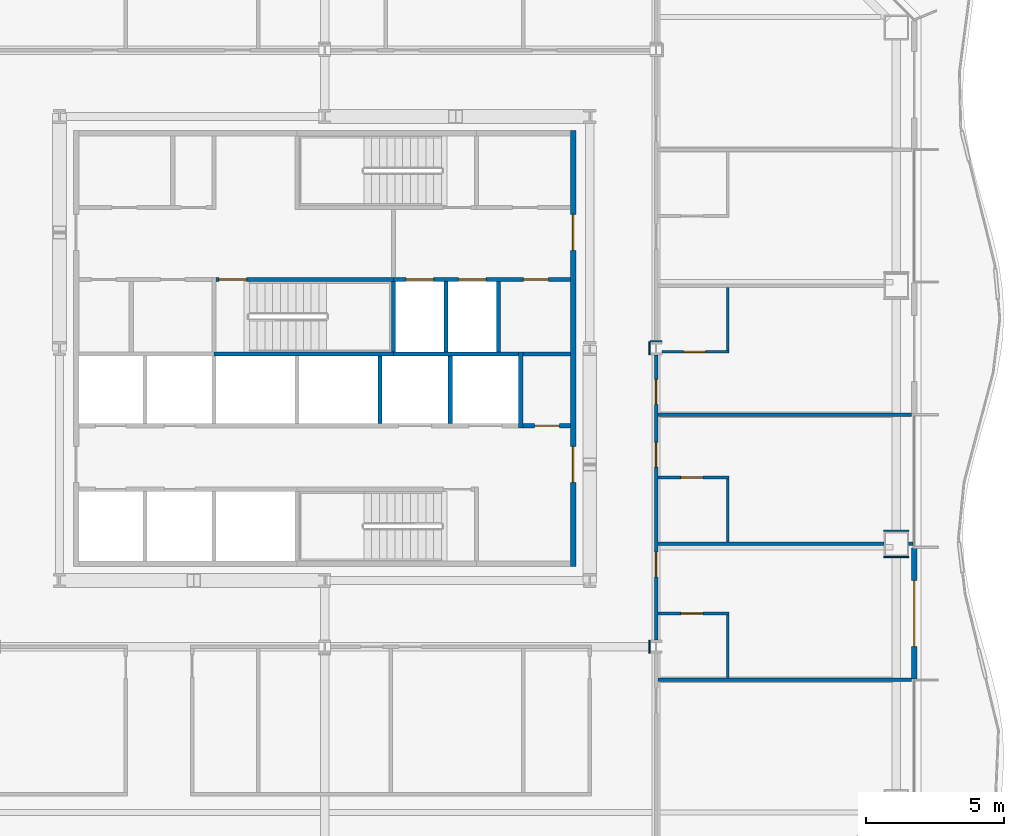
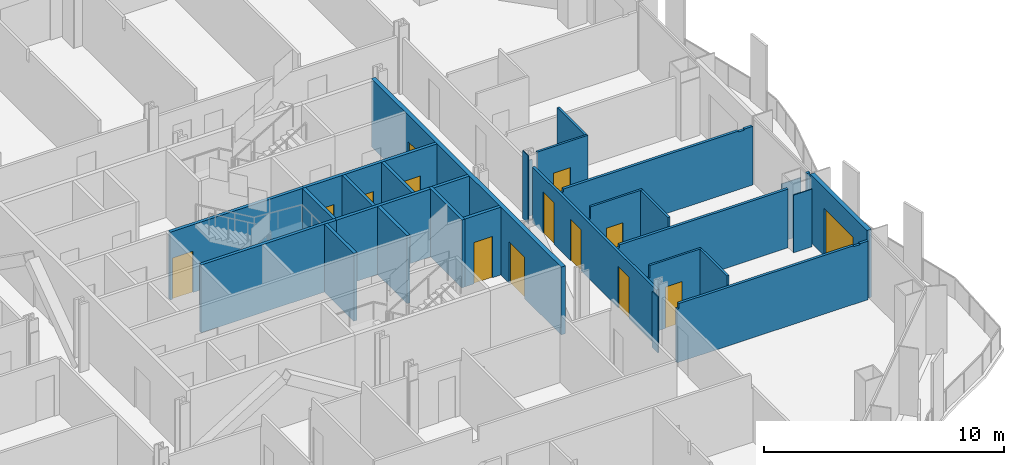
# One storey, part 10 of 21: 30 walls, 14 doors, 14 openings.
"""IFC4 building model written with IfcOpenShell, lengths in metres."""

from ifc_helpers import new_model, si_unit, direction, frame, frame_2d, origin, place, context, subcontext, project, spatial, polyline, rectangle, outline, extrude, material, layer, layer_set, type_object, element, fill, save


model = new_model("IFC4")

# Units and contexts
model_context = context("Model", 3, precision=1e-05, world=origin(), true_north=direction((0.0, 1.0)))
body_context = subcontext(model_context, "Body", "Model", "MODEL_VIEW")
ifc_project = project(units=[si_unit("LENGTHUNIT", "METRE"), si_unit("AREAUNIT", "SQUARE_METRE"), si_unit("VOLUMEUNIT", "CUBIC_METRE"), si_unit("PLANEANGLEUNIT", "RADIAN"), si_unit("MASSUNIT", "GRAM", prefix="KILO")], contexts=[model_context])

# Site, building, storey
site_placement = place(None, origin())
site = spatial("IfcSite", under=ifc_project, at=site_placement, CompositionType="ELEMENT")
building_placement = place(site_placement, origin())
building = spatial("IfcBuilding", under=site, at=building_placement, Name="Cairn Pilgrim Tower", CompositionType="ELEMENT")
storey_placement = place(building_placement, frame((0.0, 0.0, 69.0)))
storey = spatial("IfcBuildingStorey", under=building, at=storey_placement, Name="L15", CompositionType="ELEMENT", Elevation=69.0)

# Wall, opening, door
ifc_material_1 = material(Name="Bronze anodised aluminium insulated sandwich panel with mineral wool fill", Category="aluminium")
ifc_layer_1 = layer(ifc_material_1, 0.199951171875)
ifc_layer_set_1 = layer_set([ifc_layer_1], Name="BRONZE INFILL FRAME WALL 200")
wall_type_1 = type_object("IfcWallType", Name="BRONZE INFILL FRAME WALL 200", PredefinedType="NOTDEFINED", material=ifc_layer_set_1)
wall_1_placement = place(storey_placement, frame((28.550048828125, -9.570068359375, 0.0), z_axis=(0.0, 0.0, 1.0), x_axis=(0.0, 1.0, 0.0)))
wall_1 = element("IfcWall", 1, at=wall_1_placement, inside=storey, type_object=wall_type_1, Name="Bronze infill frame wall IW-E2", PredefinedType="NOTDEFINED", context=body_context, shape_type="SweptSolid", body=[
    extrude(rectangle(XDim=4.739990234375, YDim=0.199951171875, at=frame_2d((2.3701171875, 0.0))), origin(), (0.0, 0.0, 1.0), 3.449951171875),
])
opening_1_placement = place(wall_1_placement, frame((1.169921875, 0.0, 0.0)))
opening_1 = element("IfcOpeningElement", 2, at=opening_1_placement, cuts=wall_1, Name="Opening 1524B", PredefinedType="OPENING", context=body_context, shape_type="SweptSolid", body=[
    extrude(rectangle(XDim=2.39990234375, YDim=2.39990234375, at=frame_2d((1.199951171875, 1.199951171875))), frame((0.0, 0.10986328125, 0.0), z_axis=(0.0, -1.0, 0.0), x_axis=(1.0, 0.0, 0.0)), (0.0, 0.0, 1.0), 0.219970703125),
])
ifc_material_2 = material(Name="Bronze anodised aluminium frame with tinted low-E glass", Category="aluminium")
door_type_1 = type_object("IfcDoorType", Name="BALCONY SLIDING DOOR 2400x2400", OperationType="DOUBLE_DOOR_SLIDING", PredefinedType="DOOR", material=ifc_material_2)
door_1_placement = place(opening_1_placement, origin())
door_1 = element("IfcDoor", 3, at=door_1_placement, inside=storey, type_object=door_type_1, Name="Balcony sliding door 1524B", OperationType="SINGLE_SWING_LEFT", OverallHeight=2.39990234375, OverallWidth=2.39990234375, PredefinedType="DOOR", context=body_context, shape_type="SweptSolid", body=[
    extrude(rectangle(XDim=2.39990234375, YDim=2.39990234375, at=frame_2d((1.199951171875, 1.199951171875))), frame((0.0, 0.02490234375, 0.0), z_axis=(0.0, -1.0, 0.0), x_axis=(1.0, 0.0, 0.0)), (0.0, 0.0, 1.0), 0.050048828125),
])
fill(opening_1, door_1)

# Wall, openings, doors
ifc_material_3 = material(Name="Concrete C32/40", Category="concrete")
ifc_layer_2 = layer(ifc_material_3, 0.199951171875)
ifc_layer_set_2 = layer_set([ifc_layer_2], Name="CORE OUTER WALL 200 EI 120")
wall_type_2 = type_object("IfcWallType", Name="CORE OUTER WALL 200 EI 120", PredefinedType="SOLIDWALL", material=ifc_layer_set_2)
wall_2_placement = place(storey_placement, frame((16.199951171875, -5.5, 0.0), z_axis=(0.0, 0.0, 1.0), x_axis=(0.0, 1.0, 0.0)))
wall_2 = element("IfcWall", 4, at=wall_2_placement, inside=storey, type_object=wall_type_2, Name="CW:L15:V33", PredefinedType="SOLIDWALL", context=body_context, shape_type="SweptSolid", body=[
    extrude(rectangle(XDim=15.800048828125, YDim=0.199951171875, at=frame_2d((7.89990234375, 0.0))), origin(), (0.0, 0.0, 1.0), 3.449951171875),
])
opening_2_placement = place(wall_2_placement, frame((3.050048828125, 0.0, 0.0)))
opening_2 = element("IfcOpeningElement", 5, at=opening_2_placement, cuts=wall_2, Name="Opening CD-E1", PredefinedType="OPENING", context=body_context, shape_type="SweptSolid", body=[
    extrude(rectangle(XDim=1.300048828125, YDim=2.10009765625, at=frame_2d((0.64990234375, 1.050048828125))), frame((0.0, 0.10986328125, 0.0), z_axis=(0.0, -1.0, 0.0), x_axis=(1.0, 0.0, 0.0)), (0.0, 0.0, 1.0), 0.219970703125),
])
opening_3_placement = place(wall_2_placement, frame((11.449951171875, 0.0, 0.0)))
opening_3 = element("IfcOpeningElement", 6, at=opening_3_placement, cuts=wall_2, Name="Opening CD-E2", PredefinedType="OPENING", context=body_context, shape_type="SweptSolid", body=[
    extrude(rectangle(XDim=1.300048828125, YDim=2.10009765625, at=frame_2d((0.64990234375, 1.050048828125))), frame((0.0, 0.10986328125, 0.0), z_axis=(0.0, -1.0, 0.0), x_axis=(1.0, 0.0, 0.0)), (0.0, 0.0, 1.0), 0.219970703125),
])
ifc_material_4 = material(Name="Painted steel", Category="steel")
door_type_2 = type_object("IfcDoorType", Name="CORE LOBBY DOOR 1300x2100", OperationType="DOUBLE_DOOR_SINGLE_SWING", PredefinedType="DOOR", material=ifc_material_4)
door_2_placement = place(opening_2_placement, origin())
door_2 = element("IfcDoor", 7, at=door_2_placement, inside=storey, type_object=door_type_2, Name="CD-E1", OperationType="DOUBLE_DOOR_SINGLE_SWING", OverallHeight=2.10009765625, OverallWidth=1.300048828125, PredefinedType="DOOR", context=body_context, shape_type="SweptSolid", body=[
    extrude(rectangle(XDim=1.300048828125, YDim=2.10009765625, at=frame_2d((0.64990234375, 1.050048828125))), frame((0.0, 0.02490234375, 0.0), z_axis=(0.0, -1.0, 0.0), x_axis=(1.0, 0.0, 0.0)), (0.0, 0.0, 1.0), 0.050048828125),
])
fill(opening_2, door_2)
door_3_placement = place(opening_3_placement, origin())
door_3 = element("IfcDoor", 8, at=door_3_placement, inside=storey, type_object=door_type_2, Name="CD-E2", OperationType="DOUBLE_DOOR_SINGLE_SWING", OverallHeight=2.10009765625, OverallWidth=1.300048828125, PredefinedType="DOOR", context=body_context, shape_type="SweptSolid", body=[
    extrude(rectangle(XDim=1.300048828125, YDim=2.10009765625, at=frame_2d((0.64990234375, 1.050048828125))), frame((0.0, 0.02490234375, 0.0), z_axis=(0.0, -1.0, 0.0), x_axis=(1.0, 0.0, 0.0)), (0.0, 0.0, 1.0), 0.050048828125),
])
fill(opening_3, door_3)

# Wall, opening, door
ifc_layer_3 = layer(ifc_material_3, 0.14990234375)
ifc_layer_set_3 = layer_set([ifc_layer_3], Name="CORE PARTITION 150 EI 60")
wall_type_3 = type_object("IfcWallType", Name="CORE PARTITION 150 EI 60", PredefinedType="PARTITIONING", material=ifc_layer_set_3)
wall_3_placement = place(storey_placement, frame((14.375, -0.39990234375, 0.0), z_axis=(0.0, 0.0, 1.0), x_axis=(1.0, 0.0, 0.0)))
wall_3 = element("IfcWall", 9, at=wall_3_placement, inside=storey, type_object=wall_type_3, Name="CW:L15:H04", PredefinedType="PARTITIONING", context=body_context, shape_type="SweptSolid", body=[
    extrude(rectangle(XDim=1.72509765625, YDim=0.14990234375, at=frame_2d((0.862548828125, 0.0))), origin(), (0.0, 0.0, 1.0), 3.449951171875),
])
opening_4_placement = place(wall_3_placement, frame((0.425048828125, 0.0, 0.0)))
opening_4 = element("IfcOpeningElement", 10, at=opening_4_placement, cuts=wall_3, Name="Opening RD-R2E", PredefinedType="OPENING", context=body_context, shape_type="SweptSolid", body=[
    extrude(rectangle(XDim=0.89990234375, YDim=2.10009765625, at=frame_2d((0.449951171875, 1.050048828125))), frame((0.0, 0.0849609375, 0.0), z_axis=(0.0, -1.0, 0.0), x_axis=(1.0, 0.0, 0.0)), (0.0, 0.0, 1.0), 0.169921875),
])
door_type_3 = type_object("IfcDoorType", Name="SERVICE ROOM DOOR 900x2100", OperationType="SINGLE_SWING_LEFT", PredefinedType="DOOR", material=ifc_material_4)
door_4_placement = place(opening_4_placement, origin())
door_4 = element("IfcDoor", 11, at=door_4_placement, inside=storey, type_object=door_type_3, Name="RD-R2E", OperationType="SINGLE_SWING_RIGHT", OverallHeight=2.10009765625, OverallWidth=0.89990234375, PredefinedType="DOOR", context=body_context, shape_type="SweptSolid", body=[
    extrude(rectangle(XDim=0.89990234375, YDim=2.10009765625, at=frame_2d((0.449951171875, 1.050048828125))), frame((0.0, 0.02490234375, 0.0), z_axis=(0.0, -1.0, 0.0), x_axis=(1.0, 0.0, 0.0)), (0.0, 0.0, 1.0), 0.050048828125),
])
fill(opening_4, door_4)

# Walls
wall_4_placement = place(storey_placement, frame((14.375, 2.199951171875, 0.0), z_axis=(0.0, 0.0, 1.0), x_axis=(1.0, 0.0, 0.0)))
element("IfcWall", 12, at=wall_4_placement, inside=storey, type_object=wall_type_3, Name="CW:L15:H06", PredefinedType="PARTITIONING", context=body_context, shape_type="SweptSolid", body=[
    extrude(rectangle(XDim=1.72509765625, YDim=0.14990234375, at=frame_2d((0.862548828125, 0.0))), origin(), (0.0, 0.0, 1.0), 3.449951171875),
])
ifc_layer_4 = layer(ifc_material_3, 0.14990234375)
ifc_layer_set_4 = layer_set([ifc_layer_4], Name="CORE SHAFT WALL 150 EI 120")
wall_type_4 = type_object("IfcWallType", Name="CORE SHAFT WALL 150 EI 120", PredefinedType="SOLIDWALL", material=ifc_layer_set_4)
wall_5_placement = place(storey_placement, frame((9.699951171875, 2.199951171875, 0.0), z_axis=(0.0, 0.0, 1.0), x_axis=(1.0, 0.0, 0.0)))
element("IfcWall", 13, at=wall_5_placement, inside=storey, type_object=wall_type_4, Name="CW:L15:H05-3", PredefinedType="SOLIDWALL", context=body_context, shape_type="SweptSolid", body=[
    extrude(rectangle(XDim=4.525146484375, YDim=0.14990234375, at=frame_2d((2.2626953125, 0.0))), origin(), (0.0, 0.0, 1.0), 3.449951171875),
])

# Wall, openings, doors
wall_6_placement = place(storey_placement, frame((9.699951171875, 4.89990234375, 0.0), z_axis=(0.0, 0.0, 1.0), x_axis=(1.0, 0.0, 0.0)))
wall_6 = element("IfcWall", 14, at=wall_6_placement, inside=storey, type_object=wall_type_4, Name="CW:L15:H08-2", PredefinedType="SOLIDWALL", context=body_context, shape_type="SweptSolid", body=[
    extrude(rectangle(XDim=6.400146484375, YDim=0.14990234375, at=frame_2d((3.2001953125, 0.0))), origin(), (0.0, 0.0, 1.0), 3.449951171875),
])
opening_5_placement = place(wall_6_placement, frame((0.449951171875, 0.0, 0.0)))
opening_5 = element("IfcOpeningElement", 15, at=opening_5_placement, cuts=wall_6, Name="Opening LD-FF1", PredefinedType="OPENING", context=body_context, shape_type="SweptSolid", body=[
    extrude(rectangle(XDim=1.0, YDim=2.10009765625, at=frame_2d((0.5, 1.050048828125))), frame((0.0, 0.0849609375, 0.0), z_axis=(0.0, -1.0, 0.0), x_axis=(1.0, 0.0, 0.0)), (0.0, 0.0, 1.0), 0.169921875),
])
opening_6_placement = place(wall_6_placement, frame((2.35009765625, 0.0, 0.0)))
opening_6 = element("IfcOpeningElement", 16, at=opening_6_placement, cuts=wall_6, Name="Opening LD-FF2", PredefinedType="OPENING", context=body_context, shape_type="SweptSolid", body=[
    extrude(rectangle(XDim=1.0, YDim=2.10009765625, at=frame_2d((0.5, 1.050048828125))), frame((0.0, 0.0849609375, 0.0), z_axis=(0.0, -1.0, 0.0), x_axis=(1.0, 0.0, 0.0)), (0.0, 0.0, 1.0), 0.169921875),
])
opening_7_placement = place(wall_6_placement, frame((4.699951171875, 0.0, 0.0)))
opening_7 = element("IfcOpeningElement", 17, at=opening_7_placement, cuts=wall_6, Name="Opening RD-R3E", PredefinedType="OPENING", context=body_context, shape_type="SweptSolid", body=[
    extrude(rectangle(XDim=0.89990234375, YDim=2.10009765625, at=frame_2d((0.449951171875, 1.050048828125))), frame((0.0, 0.0849609375, 0.0), z_axis=(0.0, -1.0, 0.0), x_axis=(1.0, 0.0, 0.0)), (0.0, 0.0, 1.0), 0.169921875),
])
ifc_material_5 = material(Name="Stainless steel", Category="steel")
door_type_4 = type_object("IfcDoorType", Name="LIFT LANDING DOOR FIRE 1000x2100", OperationType="DOUBLE_DOOR_SLIDING", PredefinedType="DOOR", material=ifc_material_5)
door_5_placement = place(opening_5_placement, origin())
door_5 = element("IfcDoor", 18, at=door_5_placement, inside=storey, type_object=door_type_4, Name="LANDING DOOR FF1", OperationType="DOUBLE_DOOR_SLIDING", OverallHeight=2.10009765625, OverallWidth=1.0, PredefinedType="DOOR", context=body_context, shape_type="SweptSolid", body=[
    extrude(rectangle(XDim=1.0, YDim=2.10009765625, at=frame_2d((0.5, 1.050048828125))), frame((0.0, 0.02490234375, 0.0), z_axis=(0.0, -1.0, 0.0), x_axis=(1.0, 0.0, 0.0)), (0.0, 0.0, 1.0), 0.050048828125),
])
fill(opening_5, door_5)
door_6_placement = place(opening_6_placement, origin())
door_6 = element("IfcDoor", 19, at=door_6_placement, inside=storey, type_object=door_type_4, Name="LANDING DOOR FF2", OperationType="DOUBLE_DOOR_SLIDING", OverallHeight=2.10009765625, OverallWidth=1.0, PredefinedType="DOOR", context=body_context, shape_type="SweptSolid", body=[
    extrude(rectangle(XDim=1.0, YDim=2.10009765625, at=frame_2d((0.5, 1.050048828125))), frame((0.0, 0.02490234375, 0.0), z_axis=(0.0, -1.0, 0.0), x_axis=(1.0, 0.0, 0.0)), (0.0, 0.0, 1.0), 0.050048828125),
])
fill(opening_6, door_6)
door_7_placement = place(opening_7_placement, origin())
door_7 = element("IfcDoor", 20, at=door_7_placement, inside=storey, type_object=door_type_3, Name="RD-R3E", OperationType="SINGLE_SWING_LEFT", OverallHeight=2.10009765625, OverallWidth=0.89990234375, PredefinedType="DOOR", context=body_context, shape_type="SweptSolid", body=[
    extrude(rectangle(XDim=0.89990234375, YDim=2.10009765625, at=frame_2d((0.449951171875, 1.050048828125))), frame((0.0, 0.02490234375, 0.0), z_axis=(0.0, -1.0, 0.0), x_axis=(1.0, 0.0, 0.0)), (0.0, 0.0, 1.0), 0.050048828125),
])
fill(opening_7, door_7)

# Walls
wall_7_placement = place(storey_placement, frame((9.199951171875, -0.324951171875, 0.0), z_axis=(0.0, 0.0, 1.0), x_axis=(0.0, 1.0, 0.0)))
element("IfcWall", 21, at=wall_7_placement, inside=storey, type_object=wall_type_4, Name="CW:L15:V24", PredefinedType="SOLIDWALL", context=body_context, shape_type="SweptSolid", body=[
    extrude(rectangle(XDim=2.449951171875, YDim=0.14990234375, at=frame_2d((1.22509765625, 0.0))), origin(), (0.0, 0.0, 1.0), 3.449951171875),
])
wall_8_placement = place(storey_placement, frame((11.60009765625, 2.27490234375, 0.0), z_axis=(0.0, 0.0, 1.0), x_axis=(0.0, 1.0, 0.0)))
element("IfcWall", 22, at=wall_8_placement, inside=storey, type_object=wall_type_4, Name="CW:L15:V27", PredefinedType="SOLIDWALL", context=body_context, shape_type="SweptSolid", body=[
    extrude(rectangle(XDim=2.550048828125, YDim=0.14990234375, at=frame_2d((1.27490234375, 0.0))), origin(), (0.0, 0.0, 1.0), 3.449951171875),
])
wall_9_placement = place(storey_placement, frame((11.75, -0.324951171875, 0.0), z_axis=(0.0, 0.0, 1.0), x_axis=(0.0, 1.0, 0.0)))
element("IfcWall", 23, at=wall_9_placement, inside=storey, type_object=wall_type_4, Name="CW:L15:V28", PredefinedType="SOLIDWALL", context=body_context, shape_type="SweptSolid", body=[
    extrude(rectangle(XDim=2.449951171875, YDim=0.14990234375, at=frame_2d((1.22509765625, 0.0))), origin(), (0.0, 0.0, 1.0), 3.449951171875),
])
wall_10_placement = place(storey_placement, frame((13.5, 2.27490234375, 0.0), z_axis=(0.0, 0.0, 1.0), x_axis=(0.0, 1.0, 0.0)))
element("IfcWall", 24, at=wall_10_placement, inside=storey, type_object=wall_type_4, Name="CW:L15:V31", PredefinedType="SOLIDWALL", context=body_context, shape_type="SweptSolid", body=[
    extrude(rectangle(XDim=2.550048828125, YDim=0.14990234375, at=frame_2d((1.27490234375, 0.0))), origin(), (0.0, 0.0, 1.0), 3.449951171875),
])
wall_11_placement = place(storey_placement, frame((14.300048828125, -0.47509765625, 0.0), z_axis=(0.0, 0.0, 1.0), x_axis=(0.0, 1.0, 0.0)))
element("IfcWall", 25, at=wall_11_placement, inside=storey, type_object=wall_type_4, Name="CW:L15:V32", PredefinedType="SOLIDWALL", context=body_context, shape_type="SweptSolid", body=[
    extrude(rectangle(XDim=2.75, YDim=0.14990234375, at=frame_2d((1.375, 0.0))), origin(), (0.0, 0.0, 1.0), 3.449951171875),
])
ifc_material_6 = material(Name="Gypsum partition")
ifc_layer_5 = layer(ifc_material_6, 0.10009765625)
ifc_layer_set_5 = layer_set([ifc_layer_5], Name="PARTITION 100 DRYWALL")
wall_type_5 = type_object("IfcWallType", Name="PARTITION 100 DRYWALL", PredefinedType="PARTITIONING", material=ifc_layer_set_5)
wall_12_placement = place(storey_placement, frame((21.800048828125, -9.53759765625, 0.0), z_axis=(0.0, 0.0, 1.0), x_axis=(0.0, 1.0, 0.0)))
element("IfcWall", 26, at=wall_12_placement, inside=storey, type_object=wall_type_5, Name="PARTITION W028", PredefinedType="PARTITIONING", context=body_context, shape_type="SweptSolid", body=[
    extrude(outline(polyline([(0.0, 0.0), (2.28759765625, 0.0), (2.28759765625, 3.449951171875), (0.032470703125, 3.449951171875), (0.030517578125, 2.97998046875), (0.0, 2.97998046875), (0.0, 0.0)])), frame((0.0, 0.050048828125, 0.0), z_axis=(0.0, -1.0, 0.0), x_axis=(1.0, 0.0, 0.0)), (0.0, 0.0, 1.0), 0.10009765625),
])

# Wall, opening, door
wall_13_placement = place(storey_placement, frame((19.262451171875, -7.199951171875, 0.0), z_axis=(0.0, 0.0, 1.0), x_axis=(1.0, 0.0, 0.0)))
wall_13 = element("IfcWall", 27, at=wall_13_placement, inside=storey, type_object=wall_type_5, Name="PARTITION W035", PredefinedType="PARTITIONING", context=body_context, shape_type="SweptSolid", body=[
    extrude(outline(polyline([(0.0, 0.0), (2.587646484375, 0.0), (2.58740234375, 3.449951171875), (0.08740234375, 3.449951171875), (0.08544921875, 2.830078125), (0.0, 2.830078125), (0.0, 0.0)])), frame((0.0, 0.050048828125, 0.0), z_axis=(0.0, -1.0, 0.0), x_axis=(1.0, 0.0, 0.0)), (0.0, 0.0, 1.0), 0.10009765625),
])
opening_8_placement = place(wall_13_placement, frame((0.83740234375, 0.0, 0.0)))
opening_8 = element("IfcOpeningElement", 28, at=opening_8_placement, cuts=wall_13, Name="Opening 1524E", PredefinedType="OPENING", context=body_context, shape_type="SweptSolid", body=[
    extrude(rectangle(XDim=0.800048828125, YDim=2.10009765625, at=frame_2d((0.39990234375, 1.050048828125))), frame((0.0, 0.06005859375, 0.0), z_axis=(0.0, -1.0, 0.0), x_axis=(1.0, 0.0, 0.0)), (0.0, 0.0, 1.0), 0.1201171875),
])
ifc_material_7 = material(Name="Timber door leaf", Category="wood")
door_type_5 = type_object("IfcDoorType", Name="DOOR 800x2100", OperationType="NOTDEFINED", PredefinedType="DOOR", material=ifc_material_7)
door_8_placement = place(opening_8_placement, frame((0.800048828125, 0.0, 0.0), z_axis=(0.0, 0.0, 1.0), x_axis=(-1.0, 0.0, 0.0)))
door_8 = element("IfcDoor", 29, at=door_8_placement, inside=storey, type_object=door_type_5, Name="DOOR 1524E", OperationType="SINGLE_SWING_RIGHT", OverallHeight=2.10009765625, OverallWidth=0.800048828125, PredefinedType="DOOR", context=body_context, shape_type="SweptSolid", body=[
    extrude(rectangle(XDim=0.800048828125, YDim=2.10009765625, at=frame_2d((0.39990234375, 1.050048828125))), frame((0.0, 0.02490234375, 0.0), z_axis=(0.0, -1.0, 0.0), x_axis=(1.0, 0.0, 0.0)), (0.0, 0.0, 1.0), 0.050048828125),
])
fill(opening_8, door_8)

# Wall
wall_14_placement = place(storey_placement, frame((21.800048828125, -4.613525390625, 0.0), z_axis=(0.0, 0.0, 1.0), x_axis=(0.0, 1.0, 0.0)))
element("IfcWall", 30, at=wall_14_placement, inside=storey, type_object=wall_type_5, Name="PARTITION W041", PredefinedType="PARTITIONING", context=body_context, shape_type="SweptSolid", body=[
    extrude(rectangle(XDim=2.28759765625, YDim=0.10009765625, at=frame_2d((1.143798828125, 0.0))), origin(), (0.0, 0.0, 1.0), 3.449951171875),
])

# Wall, opening, door
wall_15_placement = place(storey_placement, frame((19.262451171875, -2.27587890625, 0.0), z_axis=(0.0, 0.0, 1.0), x_axis=(1.0, 0.0, 0.0)))
wall_15 = element("IfcWall", 31, at=wall_15_placement, inside=storey, type_object=wall_type_5, Name="PARTITION W042", PredefinedType="PARTITIONING", context=body_context, shape_type="SweptSolid", body=[
    extrude(outline(polyline([(0.0, 0.0), (2.587646484375, 0.0), (2.58740234375, 3.449951171875), (0.08740234375, 3.449951171875), (0.08544921875, 2.830078125), (0.0, 2.830078125), (0.0, 0.0)])), frame((0.0, 0.050048828125, 0.0), z_axis=(0.0, -1.0, 0.0), x_axis=(1.0, 0.0, 0.0)), (0.0, 0.0, 1.0), 0.10009765625),
])
opening_9_placement = place(wall_15_placement, frame((0.83740234375, 0.0, 0.0)))
opening_9 = element("IfcOpeningElement", 32, at=opening_9_placement, cuts=wall_15, Name="Opening 1525E", PredefinedType="OPENING", context=body_context, shape_type="SweptSolid", body=[
    extrude(rectangle(XDim=0.800048828125, YDim=2.10009765625, at=frame_2d((0.39990234375, 1.050048828125))), frame((0.0, 0.06005859375, 0.0), z_axis=(0.0, -1.0, 0.0), x_axis=(1.0, 0.0, 0.0)), (0.0, 0.0, 1.0), 0.1201171875),
])
door_9_placement = place(opening_9_placement, frame((0.800048828125, 0.0, 0.0), z_axis=(0.0, 0.0, 1.0), x_axis=(-1.0, 0.0, 0.0)))
door_9 = element("IfcDoor", 33, at=door_9_placement, inside=storey, type_object=door_type_5, Name="DOOR 1525E", OperationType="SINGLE_SWING_RIGHT", OverallHeight=2.10009765625, OverallWidth=0.800048828125, PredefinedType="DOOR", context=body_context, shape_type="SweptSolid", body=[
    extrude(rectangle(XDim=0.800048828125, YDim=2.10009765625, at=frame_2d((0.39990234375, 1.050048828125))), frame((0.0, 0.02490234375, 0.0), z_axis=(0.0, -1.0, 0.0), x_axis=(1.0, 0.0, 0.0)), (0.0, 0.0, 1.0), 0.050048828125),
])
fill(opening_9, door_9)

wall_16_placement = place(storey_placement, frame((19.412109375, 2.27587890625, 0.0), z_axis=(0.0, 0.0, 1.0), x_axis=(1.0, 0.0, 0.0)))
wall_16 = element("IfcWall", 34, at=wall_16_placement, inside=storey, type_object=wall_type_5, Name="PARTITION W047", PredefinedType="PARTITIONING", context=body_context, shape_type="SweptSolid", body=[
    extrude(rectangle(XDim=2.43798828125, YDim=0.10009765625, at=frame_2d((1.218994140625, 0.0))), origin(), (0.0, 0.0, 1.0), 3.449951171875),
])
opening_10_placement = place(wall_16_placement, frame((0.7880859375, 0.0, 0.0)))
opening_10 = element("IfcOpeningElement", 35, at=opening_10_placement, cuts=wall_16, Name="Opening 1526E", PredefinedType="OPENING", context=body_context, shape_type="SweptSolid", body=[
    extrude(rectangle(XDim=0.800048828125, YDim=2.10009765625, at=frame_2d((0.39990234375, 1.050048828125))), frame((0.0, 0.06005859375, 0.0), z_axis=(0.0, -1.0, 0.0), x_axis=(1.0, 0.0, 0.0)), (0.0, 0.0, 1.0), 0.1201171875),
])
door_10_placement = place(opening_10_placement, origin())
door_10 = element("IfcDoor", 36, at=door_10_placement, inside=storey, type_object=door_type_5, Name="DOOR 1526E", OperationType="SINGLE_SWING_RIGHT", OverallHeight=2.10009765625, OverallWidth=0.800048828125, PredefinedType="DOOR", context=body_context, shape_type="SweptSolid", body=[
    extrude(rectangle(XDim=0.800048828125, YDim=2.10009765625, at=frame_2d((0.39990234375, 1.050048828125))), frame((0.0, 0.02490234375, 0.0), z_axis=(0.0, -1.0, 0.0), x_axis=(1.0, 0.0, 0.0)), (0.0, 0.0, 1.0), 0.050048828125),
])
fill(opening_10, door_10)

# Walls
wall_17_placement = place(storey_placement, frame((21.800048828125, 2.325927734375, 0.0), z_axis=(0.0, 0.0, 1.0), x_axis=(0.0, 1.0, 0.0)))
element("IfcWall", 37, at=wall_17_placement, inside=storey, type_object=wall_type_5, Name="PARTITION W048", PredefinedType="PARTITIONING", context=body_context, shape_type="SweptSolid", body=[
    extrude(rectangle(XDim=2.28759765625, YDim=0.10009765625, at=frame_2d((1.143798828125, 0.0))), origin(), (0.0, 0.0, 1.0), 3.449951171875),
])
ifc_layer_6 = layer(ifc_material_6, 0.125)
ifc_layer_set_6 = layer_set([ifc_layer_6], Name="PARTITION 125 DRYWALL EI 60")
wall_type_6 = type_object("IfcWallType", Name="PARTITION 125 DRYWALL EI 60", PredefinedType="PARTITIONING", material=ifc_layer_set_6)
wall_18_placement = place(storey_placement, frame((19.262451171875, -9.60009765625, 0.0), z_axis=(0.0, 0.0, 1.0), x_axis=(1.0, 0.0, 0.0)))
element("IfcWall", 38, at=wall_18_placement, inside=storey, type_object=wall_type_6, Name="PARTITION W027", PredefinedType="PARTITIONING", context=body_context, shape_type="SweptSolid", body=[
    extrude(outline(polyline([(0.0, 0.0), (9.1875, 0.0), (9.1875, 2.97998046875), (8.78759765625, 2.97998046875), (8.785400390625, 2.929931640625), (8.487548828125, 2.929931640625), (8.485595703125, 2.97998046875), (0.08740234375, 2.97998046875), (0.08544921875, 2.72998046875), (0.0, 2.72998046875), (0.0, 0.0)])), frame((0.0, 0.0625, 0.0), z_axis=(0.0, -1.0, 0.0), x_axis=(1.0, 0.0, 0.0)), (0.0, 0.0, 1.0), 0.125),
])

# Wall, openings, doors
wall_19_placement = place(storey_placement, frame((19.199951171875, -8.1630859375, 0.0), z_axis=(0.0, 0.0, 1.0), x_axis=(0.0, 1.0, 0.0)))
wall_19 = element("IfcWall", 39, at=wall_19_placement, inside=storey, type_object=wall_type_6, Name="PARTITION W034", PredefinedType="PARTITIONING", context=body_context, shape_type="SweptSolid", body=[
    extrude(rectangle(XDim=10.326171875, YDim=0.125, at=frame_2d((5.1630859375, 0.0))), origin(), (0.0, 0.0, 1.0), 2.830078125),
])
opening_11_placement = place(wall_19_placement, frame((2.287109375, 0.0, 0.0)))
opening_11 = element("IfcOpeningElement", 40, at=opening_11_placement, cuts=wall_19, Name="Opening 1524", PredefinedType="OPENING", context=body_context, shape_type="SweptSolid", body=[
    extrude(rectangle(XDim=0.89990234375, YDim=2.10009765625, at=frame_2d((0.449951171875, 1.050048828125))), frame((0.0, 0.072509765625, 0.0), z_axis=(0.0, -1.0, 0.0), x_axis=(1.0, 0.0, 0.0)), (0.0, 0.0, 1.0), 0.14501953125),
])
opening_12_placement = place(wall_19_placement, frame((6.262939453125, 0.0, 0.0)))
opening_12 = element("IfcOpeningElement", 41, at=opening_12_placement, cuts=wall_19, Name="Opening 1525", PredefinedType="OPENING", context=body_context, shape_type="SweptSolid", body=[
    extrude(rectangle(XDim=0.89990234375, YDim=2.10009765625, at=frame_2d((0.449951171875, 1.050048828125))), frame((0.0, 0.072509765625, 0.0), z_axis=(0.0, -1.0, 0.0), x_axis=(1.0, 0.0, 0.0)), (0.0, 0.0, 1.0), 0.14501953125),
])
opening_13_placement = place(wall_19_placement, frame((8.5390625, 0.0, 0.0)))
opening_13 = element("IfcOpeningElement", 42, at=opening_13_placement, cuts=wall_19, Name="Opening 1526", PredefinedType="OPENING", context=body_context, shape_type="SweptSolid", body=[
    extrude(rectangle(XDim=0.89990234375, YDim=2.10009765625, at=frame_2d((0.449951171875, 1.050048828125))), frame((0.0, 0.072509765625, 0.0), z_axis=(0.0, -1.0, 0.0), x_axis=(1.0, 0.0, 0.0)), (0.0, 0.0, 1.0), 0.14501953125),
])
ifc_material_8 = material(Name="Steel-faced fire door leaf", Category="steel")
door_type_6 = type_object("IfcDoorType", Name="FIRE DOOR 900x2100 FD30S", OperationType="NOTDEFINED", PredefinedType="DOOR", material=ifc_material_8)
door_11_placement = place(opening_11_placement, frame((0.89990234375, 0.0, 0.0), z_axis=(0.0, 0.0, 1.0), x_axis=(-1.0, 0.0, 0.0)))
door_11 = element("IfcDoor", 43, at=door_11_placement, inside=storey, type_object=door_type_6, Name="DOOR 1524", OperationType="SINGLE_SWING_LEFT", OverallHeight=2.10009765625, OverallWidth=0.89990234375, PredefinedType="DOOR", context=body_context, shape_type="SweptSolid", body=[
    extrude(rectangle(XDim=0.89990234375, YDim=2.10009765625, at=frame_2d((0.449951171875, 1.050048828125))), frame((0.0, 0.02490234375, 0.0), z_axis=(0.0, -1.0, 0.0), x_axis=(1.0, 0.0, 0.0)), (0.0, 0.0, 1.0), 0.050048828125),
])
fill(opening_11, door_11)
door_12_placement = place(opening_12_placement, frame((0.89990234375, 0.0, 0.0), z_axis=(0.0, 0.0, 1.0), x_axis=(-1.0, 0.0, 0.0)))
door_12 = element("IfcDoor", 44, at=door_12_placement, inside=storey, type_object=door_type_6, Name="DOOR 1525", OperationType="SINGLE_SWING_LEFT", OverallHeight=2.10009765625, OverallWidth=0.89990234375, PredefinedType="DOOR", context=body_context, shape_type="SweptSolid", body=[
    extrude(rectangle(XDim=0.89990234375, YDim=2.10009765625, at=frame_2d((0.449951171875, 1.050048828125))), frame((0.0, 0.02490234375, 0.0), z_axis=(0.0, -1.0, 0.0), x_axis=(1.0, 0.0, 0.0)), (0.0, 0.0, 1.0), 0.050048828125),
])
fill(opening_12, door_12)
door_13_placement = place(opening_13_placement, frame((0.89990234375, 0.0, 0.0), z_axis=(0.0, 0.0, 1.0), x_axis=(-1.0, 0.0, 0.0)))
door_13 = element("IfcDoor", 45, at=door_13_placement, inside=storey, type_object=door_type_6, Name="DOOR 1526", OperationType="SINGLE_SWING_LEFT", OverallHeight=2.10009765625, OverallWidth=0.89990234375, PredefinedType="DOOR", context=body_context, shape_type="SweptSolid", body=[
    extrude(rectangle(XDim=0.89990234375, YDim=2.10009765625, at=frame_2d((0.449951171875, 1.050048828125))), frame((0.0, 0.02490234375, 0.0), z_axis=(0.0, -1.0, 0.0), x_axis=(1.0, 0.0, 0.0)), (0.0, 0.0, 1.0), 0.050048828125),
])
fill(opening_13, door_13)

# Walls
wall_20_placement = place(storey_placement, frame((19.262451171875, -4.676025390625, 0.0), z_axis=(0.0, 0.0, 1.0), x_axis=(1.0, 0.0, 0.0)))
element("IfcWall", 46, at=wall_20_placement, inside=storey, type_object=wall_type_6, Name="PARTITION W039", PredefinedType="PARTITIONING", context=body_context, shape_type="SweptSolid", body=[
    extrude(outline(polyline([(0.0, 0.0), (8.1875, 0.0), (8.1875, 2.97998046875), (0.08740234375, 2.97998046875), (0.08544921875, 2.830078125), (0.0, 2.830078125), (0.0, 0.0)])), frame((0.0, 0.0625, 0.0), z_axis=(0.0, -1.0, 0.0), x_axis=(1.0, 0.0, 0.0)), (0.0, 0.0, 1.0), 0.125),
])
wall_21_placement = place(storey_placement, frame((28.35009765625, -4.676025390625, 0.0), z_axis=(0.0, 0.0, 1.0), x_axis=(1.0, 0.0, 0.0)))
element("IfcWall", 47, at=wall_21_placement, inside=storey, type_object=wall_type_6, Name="PARTITION W040", PredefinedType="PARTITIONING", context=body_context, shape_type="SweptSolid", body=[
    extrude(rectangle(XDim=0.15283203125, YDim=0.125, at=frame_2d((0.076416015625, 0.0))), origin(), (0.0, 0.0, 1.0), 3.449951171875),
])
wall_22_placement = place(storey_placement, frame((19.262451171875, 0.0, 0.0), z_axis=(0.0, 0.0, 1.0), x_axis=(1.0, 0.0, 0.0)))
element("IfcWall", 48, at=wall_22_placement, inside=storey, type_object=wall_type_6, Name="PARTITION W046", PredefinedType="PARTITIONING", context=body_context, shape_type="SweptSolid", body=[
    extrude(outline(polyline([(0.0, 0.0), (9.1875, 0.0), (9.1875, 2.97998046875), (8.78759765625, 2.97998046875), (8.785400390625, 2.929931640625), (8.487548828125, 2.929931640625), (8.485595703125, 2.97998046875), (0.08740234375, 2.97998046875), (0.08544921875, 2.830078125), (0.0, 2.830078125), (0.0, 0.0)])), frame((0.0, 0.0625, 0.0), z_axis=(0.0, -1.0, 0.0), x_axis=(1.0, 0.0, 0.0)), (0.0, 0.0, 1.0), 0.125),
])
ifc_layer_7 = layer(ifc_material_6, 0.050048828125)
ifc_layer_set_7 = layer_set([ifc_layer_7], Name="PARTITION 50 DRYWALL")
wall_type_7 = type_object("IfcWallType", Name="PARTITION 50 DRYWALL", PredefinedType="PARTITIONING", material=ifc_layer_set_7)
wall_23_placement = place(storey_placement, frame((18.988037109375, 2.662109375, 0.0), z_axis=(0.0, 0.0, 1.0), x_axis=(1.0, 0.0, 0.0)))
element("IfcWall", 49, at=wall_23_placement, inside=storey, type_object=wall_type_7, Name="COLUMN CASING WC22", PredefinedType="PARTITIONING", context=body_context, shape_type="SweptSolid", body=[
    extrude(rectangle(XDim=0.424072265625, YDim=0.050048828125, at=frame_2d((0.2119140625, 0.0))), origin(), (0.0, 0.0, 1.0), 2.830078125),
])
ifc_layer_8 = layer(ifc_material_6, 0.050048828125)
ifc_layer_set_8 = layer_set([ifc_layer_8], Name="PARTITION 50 DRYWALL EI 60")
wall_type_8 = type_object("IfcWallType", Name="PARTITION 50 DRYWALL EI 60", PredefinedType="PARTITIONING", material=ifc_layer_set_8)
wall_24_placement = place(storey_placement, frame((18.962890625, -8.636962890625, 0.0), z_axis=(0.0, 0.0, 1.0), x_axis=(0.0, 1.0, 0.0)))
element("IfcWall", 50, at=wall_24_placement, inside=storey, type_object=wall_type_8, Name="COLUMN CASING WC09", PredefinedType="PARTITIONING", context=body_context, shape_type="SweptSolid", body=[
    extrude(rectangle(XDim=0.473876953125, YDim=0.050048828125, at=frame_2d((0.23681640625, 0.0))), origin(), (0.0, 0.0, 1.0), 2.830078125),
])
wall_25_placement = place(storey_placement, frame((18.962890625, 2.1630859375, 0.0), z_axis=(0.0, 0.0, 1.0), x_axis=(0.0, 1.0, 0.0)))
element("IfcWall", 51, at=wall_25_placement, inside=storey, type_object=wall_type_8, Name="COLUMN CASING WC10", PredefinedType="PARTITIONING", context=body_context, shape_type="SweptSolid", body=[
    extrude(rectangle(XDim=0.473876953125, YDim=0.050048828125, at=frame_2d((0.23681640625, 0.0))), origin(), (0.0, 0.0, 1.0), 3.449951171875),
])
for number, where, z_axis, x_axis, name in (
    (52, (27.449951171875, -4.20068359375, 0.0), (0.0, 0.0, 1.0), (1.0, 0.0, 0.0), "COLUMN CASING WC19"),
    (53, (27.449951171875, -5.150634765625, 0.0), (0.0, 0.0, 1.0), (1.0, 0.0, 0.0), "COLUMN CASING WC20"),
):
    element("IfcWall", number, at=place(storey_placement, frame(where, z_axis=z_axis, x_axis=x_axis)), inside=storey, type_object=wall_type_8, Name=name, PredefinedType="PARTITIONING", context=body_context, shape_type="SweptSolid", body=[
        extrude(rectangle(XDim=0.900146484375, YDim=0.050048828125, at=frame_2d((0.4501953125, 0.0))), origin(), (0.0, 0.0, 1.0), 2.929931640625),
    ])
ifc_material_9 = material(Name="Concrete C35/45", Category="concrete")
ifc_layer_9 = layer(ifc_material_9, 0.14990234375)
ifc_layer_set_9 = layer_set([ifc_layer_9], Name="STAIR SHAFT WALL 150 EI 120")
wall_type_9 = type_object("IfcWallType", Name="STAIR SHAFT WALL 150 EI 120", PredefinedType="SOLIDWALL", material=ifc_layer_set_9)
wall_26_placement = place(storey_placement, frame((3.199951171875, 2.199951171875, 0.0), z_axis=(0.0, 0.0, 1.0), x_axis=(1.0, 0.0, 0.0)))
element("IfcWall", 54, at=wall_26_placement, inside=storey, type_object=wall_type_9, Name="CW:L15:H05-2", PredefinedType="SOLIDWALL", context=body_context, shape_type="SweptSolid", body=[
    extrude(rectangle(XDim=6.5, YDim=0.14990234375, at=frame_2d((3.25, 0.0))), origin(), (0.0, 0.0, 1.0), 3.449951171875),
])

# Wall, opening, door
wall_27_placement = place(storey_placement, frame((3.27490234375, 4.89990234375, 0.0), z_axis=(0.0, 0.0, 1.0), x_axis=(1.0, 0.0, 0.0)))
wall_27 = element("IfcWall", 55, at=wall_27_placement, inside=storey, type_object=wall_type_9, Name="CW:L15:H08-1", PredefinedType="SOLIDWALL", context=body_context, shape_type="SweptSolid", body=[
    extrude(rectangle(XDim=6.425048828125, YDim=0.14990234375, at=frame_2d((3.21240234375, 0.0))), origin(), (0.0, 0.0, 1.0), 3.449951171875),
])
opening_14_placement = place(wall_27_placement, frame((0.10009765625, 0.0, 0.0)))
opening_14 = element("IfcOpeningElement", 56, at=opening_14_placement, cuts=wall_27, Name="Opening SD-B", PredefinedType="OPENING", context=body_context, shape_type="SweptSolid", body=[
    extrude(rectangle(XDim=1.0, YDim=2.10009765625, at=frame_2d((0.5, 1.050048828125))), frame((0.0, 0.0849609375, 0.0), z_axis=(0.0, -1.0, 0.0), x_axis=(1.0, 0.0, 0.0)), (0.0, 0.0, 1.0), 0.169921875),
])
door_type_7 = type_object("IfcDoorType", Name="STAIR DOOR FD60S 1000x2100", OperationType="SINGLE_SWING_LEFT", PredefinedType="DOOR", material=ifc_material_4)
door_14_placement = place(opening_14_placement, origin())
door_14 = element("IfcDoor", 57, at=door_14_placement, inside=storey, type_object=door_type_7, Name="SD-B", OperationType="SINGLE_SWING_RIGHT", OverallHeight=2.10009765625, OverallWidth=1.0, PredefinedType="DOOR", context=body_context, shape_type="SweptSolid", body=[
    extrude(rectangle(XDim=1.0, YDim=2.10009765625, at=frame_2d((0.5, 1.050048828125))), frame((0.0, 0.02490234375, 0.0), z_axis=(0.0, -1.0, 0.0), x_axis=(1.0, 0.0, 0.0)), (0.0, 0.0, 1.0), 0.050048828125),
])
fill(opening_14, door_14)

# Wall
wall_28_placement = place(storey_placement, frame((9.699951171875, 2.27490234375, 0.0), z_axis=(0.0, 0.0, 1.0), x_axis=(0.0, 1.0, 0.0)))
element("IfcWall", 58, at=wall_28_placement, inside=storey, type_object=wall_type_9, Name="CW:L15:V25", PredefinedType="SOLIDWALL", context=body_context, shape_type="SweptSolid", body=[
    extrude(rectangle(XDim=2.550048828125, YDim=0.14990234375, at=frame_2d((1.27490234375, 0.0))), origin(), (0.0, 0.0, 1.0), 3.449951171875),
])

save(model, "model.ifc")
